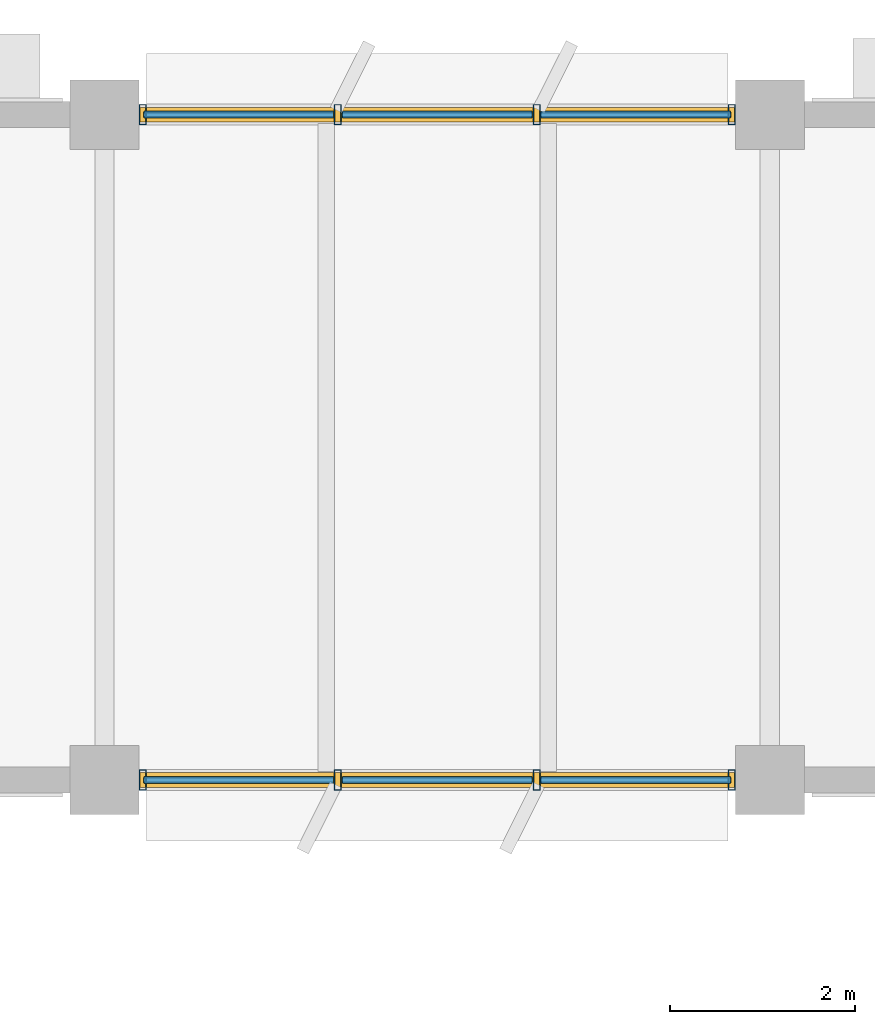
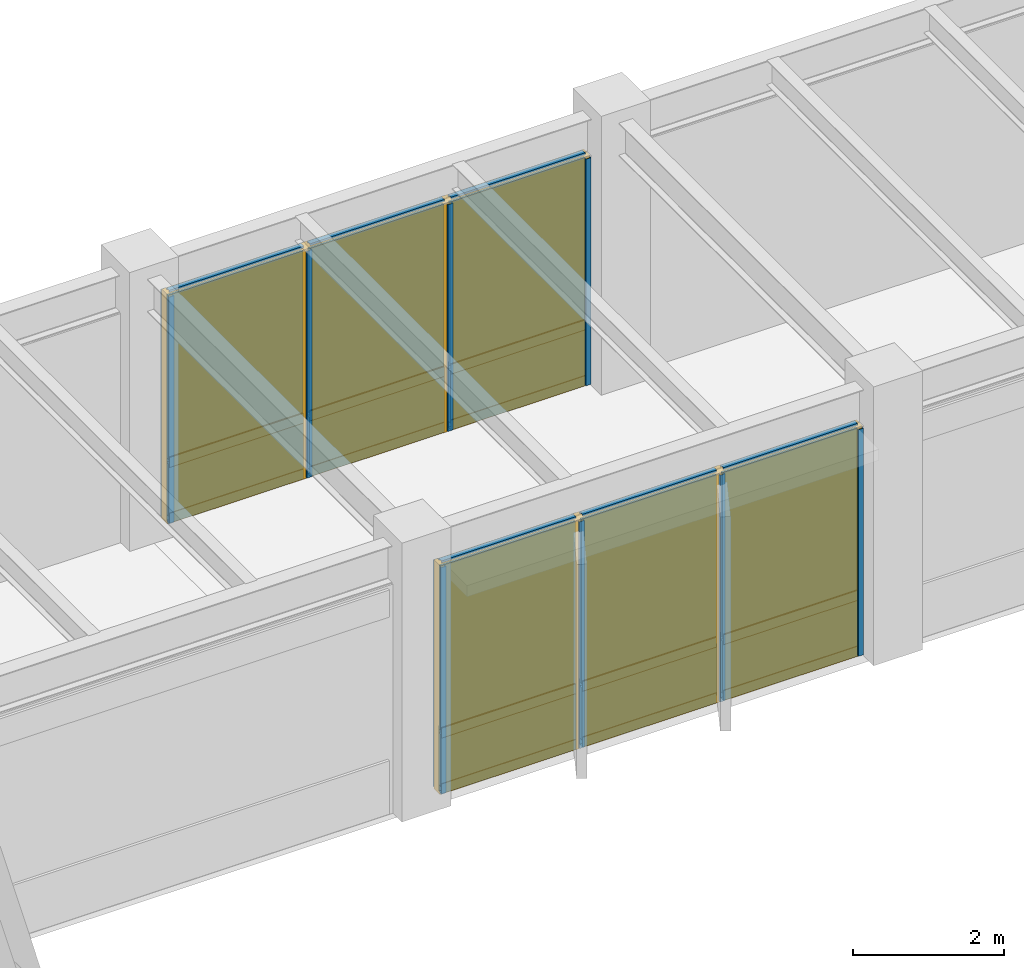
# One storey, part 67 of 92: 26 members, 12 plates, 2 curtain walls.
"""IFC4 building model written with IfcOpenShell, lengths in metres."""

from ifc_helpers import new_model, si_unit, direction, frame, origin, origin_2d, place, context, subcontext, project, spatial, rectangle, hollow_rectangle, extrude, material, layer, layer_set, material_profile, profile_set, type_object, element, aggregate, save


model = new_model("IFC4")

# Units and contexts
model_context = context("Model", 3, precision=1e-05, world=origin(), true_north=direction((0.0, 1.0)))
body_context = subcontext(model_context, "Body", "Model", "MODEL_VIEW")
ifc_project = project(units=[si_unit("LENGTHUNIT", "METRE"), si_unit("AREAUNIT", "SQUARE_METRE"), si_unit("VOLUMEUNIT", "CUBIC_METRE"), si_unit("PLANEANGLEUNIT", "RADIAN"), si_unit("MASSUNIT", "GRAM", prefix="KILO")], contexts=[model_context])

# Member
ifc_material_1 = material(Name="Anodized Aluminium 6063-T6", Category="aluminium")
ifc_material_profile_1 = material_profile(ifc_material_1, hollow_rectangle(XDim=0.074951171875, YDim=0.219970703125, WallThickness=0.0048828125, at=origin_2d()), Name="ALU 75x220x5")
ifc_profile_set_1 = profile_set([ifc_material_profile_1], Name="Anodized Aluminium 6063-T6")
member_type_1 = type_object("IfcMemberType", Name="CWM-75X180", PredefinedType="MULLION", material=ifc_profile_set_1)
site_placement = place(None, origin())
building_placement = place(site_placement, origin())
storey_placement = place(building_placement, frame((0.0, 0.0, 5.39990234375)))
member_1_placement = place(storey_placement, frame((85.985107421875, 108.0, 0.02001953125), z_axis=(0.0, 0.0, 1.0), x_axis=(1.0, 0.0, 0.0)))
member_1 = element("IfcMember", 1, at=member_1_placement, type_object=member_type_1, Name="Curtain wall mullion CW-L02-11-15-S-00", PredefinedType="MULLION", context=body_context, shape_type="SweptSolid", body=[
    extrude(hollow_rectangle(XDim=0.074951171875, YDim=0.219970703125, WallThickness=0.0048828125, at=origin_2d()), origin(), (0.0, 0.0, 1.0), 3.657958984375),
])

member_2_placement = place(storey_placement, frame((83.875, 108.0, 0.02001953125), z_axis=(0.0, 0.0, 1.0), x_axis=(1.0, 0.0, 0.0)))
member_2 = element("IfcMember", 2, at=member_2_placement, type_object=member_type_1, Name="Curtain wall mullion CW-L02-11-15-S-01", PredefinedType="MULLION", context=body_context, shape_type="SweptSolid", body=[
    extrude(hollow_rectangle(XDim=0.074951171875, YDim=0.219970703125, WallThickness=0.0048828125, at=origin_2d()), origin(), (0.0, 0.0, 1.0), 3.657958984375),
])

member_3_placement = place(storey_placement, frame((81.72509765625, 108.0, 0.02001953125), z_axis=(0.0, 0.0, 1.0), x_axis=(1.0, 0.0, 0.0)))
member_3 = element("IfcMember", 3, at=member_3_placement, type_object=member_type_1, Name="Curtain wall mullion CW-L02-11-15-S-02", PredefinedType="MULLION", context=body_context, shape_type="SweptSolid", body=[
    extrude(hollow_rectangle(XDim=0.074951171875, YDim=0.219970703125, WallThickness=0.0048828125, at=origin_2d()), origin(), (0.0, 0.0, 1.0), 3.657958984375),
])

member_4_placement = place(storey_placement, frame((79.614990234375, 108.0, 0.02001953125), z_axis=(0.0, 0.0, 1.0), x_axis=(1.0, 0.0, 0.0)))
member_4 = element("IfcMember", 4, at=member_4_placement, type_object=member_type_1, Name="Curtain wall mullion CW-L02-11-15-S-03", PredefinedType="MULLION", context=body_context, shape_type="SweptSolid", body=[
    extrude(hollow_rectangle(XDim=0.074951171875, YDim=0.219970703125, WallThickness=0.0048828125, at=origin_2d()), origin(), (0.0, 0.0, 1.0), 3.657958984375),
])

member_5_placement = place(storey_placement, frame((79.614990234375, 115.199951171875, 0.02001953125), z_axis=(0.0, 0.0, 1.0), x_axis=(1.0, 0.0, 0.0)))
member_5 = element("IfcMember", 5, at=member_5_placement, type_object=member_type_1, Name="Curtain wall mullion CW-L02-11-15-N-00", PredefinedType="MULLION", context=body_context, shape_type="SweptSolid", body=[
    extrude(hollow_rectangle(XDim=0.074951171875, YDim=0.219970703125, WallThickness=0.0048828125, at=origin_2d()), origin(), (0.0, 0.0, 1.0), 3.657958984375),
])

member_6_placement = place(storey_placement, frame((81.72509765625, 115.199951171875, 0.02001953125), z_axis=(0.0, 0.0, 1.0), x_axis=(1.0, 0.0, 0.0)))
member_6 = element("IfcMember", 6, at=member_6_placement, type_object=member_type_1, Name="Curtain wall mullion CW-L02-11-15-N-01", PredefinedType="MULLION", context=body_context, shape_type="SweptSolid", body=[
    extrude(hollow_rectangle(XDim=0.074951171875, YDim=0.219970703125, WallThickness=0.0048828125, at=origin_2d()), origin(), (0.0, 0.0, 1.0), 3.657958984375),
])

member_7_placement = place(storey_placement, frame((83.875, 115.199951171875, 0.02001953125), z_axis=(0.0, 0.0, 1.0), x_axis=(1.0, 0.0, 0.0)))
member_7 = element("IfcMember", 7, at=member_7_placement, type_object=member_type_1, Name="Curtain wall mullion CW-L02-11-15-N-02", PredefinedType="MULLION", context=body_context, shape_type="SweptSolid", body=[
    extrude(hollow_rectangle(XDim=0.074951171875, YDim=0.219970703125, WallThickness=0.0048828125, at=origin_2d()), origin(), (0.0, 0.0, 1.0), 3.657958984375),
])

member_8_placement = place(storey_placement, frame((85.985107421875, 115.199951171875, 0.02001953125), z_axis=(0.0, 0.0, 1.0), x_axis=(1.0, 0.0, 0.0)))
member_8 = element("IfcMember", 8, at=member_8_placement, type_object=member_type_1, Name="Curtain wall mullion CW-L02-11-15-N-03", PredefinedType="MULLION", context=body_context, shape_type="SweptSolid", body=[
    extrude(hollow_rectangle(XDim=0.074951171875, YDim=0.219970703125, WallThickness=0.0048828125, at=origin_2d()), origin(), (0.0, 0.0, 1.0), 3.657958984375),
])

ifc_material_profile_2 = material_profile(ifc_material_1, hollow_rectangle(XDim=0.074951171875, YDim=0.159912109375, WallThickness=0.00390625, at=origin_2d()), Name="ALU 75x160x4")
ifc_profile_set_2 = profile_set([ifc_material_profile_2], Name="Anodized Aluminium 6063-T6")
member_type_2 = type_object("IfcMemberType", Name="CWT-75X150", PredefinedType="USERDEFINED", material=ifc_profile_set_2)
member_9_placement = place(storey_placement, frame((85.97509765625, 108.0, 0.050048828125), z_axis=(-1.0, 0.0, 0.0), x_axis=(0.0, -1.0, 0.0)))
member_9 = element("IfcMember", 9, at=member_9_placement, type_object=member_type_2, Name="Curtain wall transom CW-L02-11-15-S-1.01", ObjectType="TRANSOM", PredefinedType="USERDEFINED", context=body_context, shape_type="SweptSolid", body=[
    extrude(hollow_rectangle(XDim=0.074951171875, YDim=0.159912109375, WallThickness=0.00390625, at=origin_2d()), origin(), (0.0, 0.0, 1.0), 2.050048828125),
])

member_10_placement = place(storey_placement, frame((83.824951171875, 108.0, 0.050048828125), z_axis=(-1.0, 0.0, 0.0), x_axis=(0.0, -1.0, 0.0)))
member_10 = element("IfcMember", 10, at=member_10_placement, type_object=member_type_2, Name="Curtain wall transom CW-L02-11-15-S-1.02", ObjectType="TRANSOM", PredefinedType="USERDEFINED", context=body_context, shape_type="SweptSolid", body=[
    extrude(hollow_rectangle(XDim=0.074951171875, YDim=0.159912109375, WallThickness=0.00390625, at=origin_2d()), origin(), (0.0, 0.0, 1.0), 2.050048828125),
])

member_11_placement = place(storey_placement, frame((81.675048828125, 108.0, 0.050048828125), z_axis=(-1.0, 0.0, 0.0), x_axis=(0.0, -1.0, 0.0)))
member_11 = element("IfcMember", 11, at=member_11_placement, type_object=member_type_2, Name="Curtain wall transom CW-L02-11-15-S-1.03", ObjectType="TRANSOM", PredefinedType="USERDEFINED", context=body_context, shape_type="SweptSolid", body=[
    extrude(hollow_rectangle(XDim=0.074951171875, YDim=0.159912109375, WallThickness=0.00390625, at=origin_2d()), origin(), (0.0, 0.0, 1.0), 2.050048828125),
])

member_12_placement = place(storey_placement, frame((85.97509765625, 108.0, 0.9501953125), z_axis=(-1.0, 0.0, 0.0), x_axis=(0.0, -1.0, 0.0)))
member_12 = element("IfcMember", 12, at=member_12_placement, type_object=member_type_2, Name="Curtain wall transom CW-L02-11-15-S-2.01", ObjectType="TRANSOM", PredefinedType="USERDEFINED", context=body_context, shape_type="SweptSolid", body=[
    extrude(hollow_rectangle(XDim=0.074951171875, YDim=0.159912109375, WallThickness=0.00390625, at=origin_2d()), origin(), (0.0, 0.0, 1.0), 2.050048828125),
])

member_13_placement = place(storey_placement, frame((83.824951171875, 108.0, 0.9501953125), z_axis=(-1.0, 0.0, 0.0), x_axis=(0.0, -1.0, 0.0)))
member_13 = element("IfcMember", 13, at=member_13_placement, type_object=member_type_2, Name="Curtain wall transom CW-L02-11-15-S-2.02", ObjectType="TRANSOM", PredefinedType="USERDEFINED", context=body_context, shape_type="SweptSolid", body=[
    extrude(hollow_rectangle(XDim=0.074951171875, YDim=0.159912109375, WallThickness=0.00390625, at=origin_2d()), origin(), (0.0, 0.0, 1.0), 2.050048828125),
])

member_14_placement = place(storey_placement, frame((81.675048828125, 108.0, 0.9501953125), z_axis=(-1.0, 0.0, 0.0), x_axis=(0.0, -1.0, 0.0)))
member_14 = element("IfcMember", 14, at=member_14_placement, type_object=member_type_2, Name="Curtain wall transom CW-L02-11-15-S-2.03", ObjectType="TRANSOM", PredefinedType="USERDEFINED", context=body_context, shape_type="SweptSolid", body=[
    extrude(hollow_rectangle(XDim=0.074951171875, YDim=0.159912109375, WallThickness=0.00390625, at=origin_2d()), origin(), (0.0, 0.0, 1.0), 2.050048828125),
])

member_15_placement = place(storey_placement, frame((85.97509765625, 108.0, 3.648193359375), z_axis=(-1.0, 0.0, 0.0), x_axis=(0.0, -1.0, 0.0)))
member_15 = element("IfcMember", 15, at=member_15_placement, type_object=member_type_2, Name="Curtain wall transom CW-L02-11-15-S-3.01", ObjectType="TRANSOM", PredefinedType="USERDEFINED", context=body_context, shape_type="SweptSolid", body=[
    extrude(hollow_rectangle(XDim=0.074951171875, YDim=0.159912109375, WallThickness=0.00390625, at=origin_2d()), origin(), (0.0, 0.0, 1.0), 2.050048828125),
])

member_16_placement = place(storey_placement, frame((83.824951171875, 108.0, 3.648193359375), z_axis=(-1.0, 0.0, 0.0), x_axis=(0.0, -1.0, 0.0)))
member_16 = element("IfcMember", 16, at=member_16_placement, type_object=member_type_2, Name="Curtain wall transom CW-L02-11-15-S-3.02", ObjectType="TRANSOM", PredefinedType="USERDEFINED", context=body_context, shape_type="SweptSolid", body=[
    extrude(hollow_rectangle(XDim=0.074951171875, YDim=0.159912109375, WallThickness=0.00390625, at=origin_2d()), origin(), (0.0, 0.0, 1.0), 2.050048828125),
])

member_17_placement = place(storey_placement, frame((81.675048828125, 108.0, 3.648193359375), z_axis=(-1.0, 0.0, 0.0), x_axis=(0.0, -1.0, 0.0)))
member_17 = element("IfcMember", 17, at=member_17_placement, type_object=member_type_2, Name="Curtain wall transom CW-L02-11-15-S-3.03", ObjectType="TRANSOM", PredefinedType="USERDEFINED", context=body_context, shape_type="SweptSolid", body=[
    extrude(hollow_rectangle(XDim=0.074951171875, YDim=0.159912109375, WallThickness=0.00390625, at=origin_2d()), origin(), (0.0, 0.0, 1.0), 2.050048828125),
])

member_18_placement = place(storey_placement, frame((79.625, 115.199951171875, 0.050048828125), z_axis=(1.0, 0.0, 0.0), x_axis=(0.0, 1.0, 0.0)))
member_18 = element("IfcMember", 18, at=member_18_placement, type_object=member_type_2, Name="Curtain wall transom CW-L02-11-15-N-1.01", ObjectType="TRANSOM", PredefinedType="USERDEFINED", context=body_context, shape_type="SweptSolid", body=[
    extrude(hollow_rectangle(XDim=0.074951171875, YDim=0.159912109375, WallThickness=0.00390625, at=origin_2d()), origin(), (0.0, 0.0, 1.0), 2.050048828125),
])

member_19_placement = place(storey_placement, frame((81.77490234375, 115.199951171875, 0.050048828125), z_axis=(1.0, 0.0, 0.0), x_axis=(0.0, 1.0, 0.0)))
member_19 = element("IfcMember", 19, at=member_19_placement, type_object=member_type_2, Name="Curtain wall transom CW-L02-11-15-N-1.02", ObjectType="TRANSOM", PredefinedType="USERDEFINED", context=body_context, shape_type="SweptSolid", body=[
    extrude(hollow_rectangle(XDim=0.074951171875, YDim=0.159912109375, WallThickness=0.00390625, at=origin_2d()), origin(), (0.0, 0.0, 1.0), 2.050048828125),
])

member_20_placement = place(storey_placement, frame((83.925048828125, 115.199951171875, 0.050048828125), z_axis=(1.0, 0.0, 0.0), x_axis=(0.0, 1.0, 0.0)))
member_20 = element("IfcMember", 20, at=member_20_placement, type_object=member_type_2, Name="Curtain wall transom CW-L02-11-15-N-1.03", ObjectType="TRANSOM", PredefinedType="USERDEFINED", context=body_context, shape_type="SweptSolid", body=[
    extrude(hollow_rectangle(XDim=0.074951171875, YDim=0.159912109375, WallThickness=0.00390625, at=origin_2d()), origin(), (0.0, 0.0, 1.0), 2.050048828125),
])

member_21_placement = place(storey_placement, frame((79.625, 115.199951171875, 0.9501953125), z_axis=(1.0, 0.0, 0.0), x_axis=(0.0, 1.0, 0.0)))
member_21 = element("IfcMember", 21, at=member_21_placement, type_object=member_type_2, Name="Curtain wall transom CW-L02-11-15-N-2.01", ObjectType="TRANSOM", PredefinedType="USERDEFINED", context=body_context, shape_type="SweptSolid", body=[
    extrude(hollow_rectangle(XDim=0.074951171875, YDim=0.159912109375, WallThickness=0.00390625, at=origin_2d()), origin(), (0.0, 0.0, 1.0), 2.050048828125),
])

member_22_placement = place(storey_placement, frame((81.77490234375, 115.199951171875, 0.9501953125), z_axis=(1.0, 0.0, 0.0), x_axis=(0.0, 1.0, 0.0)))
member_22 = element("IfcMember", 22, at=member_22_placement, type_object=member_type_2, Name="Curtain wall transom CW-L02-11-15-N-2.02", ObjectType="TRANSOM", PredefinedType="USERDEFINED", context=body_context, shape_type="SweptSolid", body=[
    extrude(hollow_rectangle(XDim=0.074951171875, YDim=0.159912109375, WallThickness=0.00390625, at=origin_2d()), origin(), (0.0, 0.0, 1.0), 2.050048828125),
])

member_23_placement = place(storey_placement, frame((83.925048828125, 115.199951171875, 0.9501953125), z_axis=(1.0, 0.0, 0.0), x_axis=(0.0, 1.0, 0.0)))
member_23 = element("IfcMember", 23, at=member_23_placement, type_object=member_type_2, Name="Curtain wall transom CW-L02-11-15-N-2.03", ObjectType="TRANSOM", PredefinedType="USERDEFINED", context=body_context, shape_type="SweptSolid", body=[
    extrude(hollow_rectangle(XDim=0.074951171875, YDim=0.159912109375, WallThickness=0.00390625, at=origin_2d()), origin(), (0.0, 0.0, 1.0), 2.050048828125),
])

member_24_placement = place(storey_placement, frame((79.625, 115.199951171875, 3.648193359375), z_axis=(1.0, 0.0, 0.0), x_axis=(0.0, 1.0, 0.0)))
member_24 = element("IfcMember", 24, at=member_24_placement, type_object=member_type_2, Name="Curtain wall transom CW-L02-11-15-N-3.01", ObjectType="TRANSOM", PredefinedType="USERDEFINED", context=body_context, shape_type="SweptSolid", body=[
    extrude(hollow_rectangle(XDim=0.074951171875, YDim=0.159912109375, WallThickness=0.00390625, at=origin_2d()), origin(), (0.0, 0.0, 1.0), 2.050048828125),
])

member_25_placement = place(storey_placement, frame((81.77490234375, 115.199951171875, 3.648193359375), z_axis=(1.0, 0.0, 0.0), x_axis=(0.0, 1.0, 0.0)))
member_25 = element("IfcMember", 25, at=member_25_placement, type_object=member_type_2, Name="Curtain wall transom CW-L02-11-15-N-3.02", ObjectType="TRANSOM", PredefinedType="USERDEFINED", context=body_context, shape_type="SweptSolid", body=[
    extrude(hollow_rectangle(XDim=0.074951171875, YDim=0.159912109375, WallThickness=0.00390625, at=origin_2d()), origin(), (0.0, 0.0, 1.0), 2.050048828125),
])

member_26_placement = place(storey_placement, frame((83.925048828125, 115.199951171875, 3.648193359375), z_axis=(1.0, 0.0, 0.0), x_axis=(0.0, 1.0, 0.0)))
member_26 = element("IfcMember", 26, at=member_26_placement, type_object=member_type_2, Name="Curtain wall transom CW-L02-11-15-N-3.03", ObjectType="TRANSOM", PredefinedType="USERDEFINED", context=body_context, shape_type="SweptSolid", body=[
    extrude(hollow_rectangle(XDim=0.074951171875, YDim=0.159912109375, WallThickness=0.00390625, at=origin_2d()), origin(), (0.0, 0.0, 1.0), 2.050048828125),
])

# Plate
ifc_material_2 = material(Name="Acoustic Laminated Low-E Glazing", Category="glass")
ifc_layer_1 = layer(ifc_material_2, 0.0439453125)
ifc_layer_set_1 = layer_set([ifc_layer_1], Name="Acoustic Laminated Low-E Glazing")
plate_type_1 = type_object("IfcPlateType", Name="CWP-IGU-44", PredefinedType="CURTAIN_PANEL", material=ifc_layer_set_1)
plate_1_placement = place(storey_placement, frame((84.949951171875, 108.0, 0.990234375), z_axis=(0.0, 0.0, 1.0), x_axis=(-1.0, 0.0, 0.0)))
plate_1 = element("IfcPlate", 27, at=plate_1_placement, type_object=plate_type_1, Name="Curtain wall vision glazing CW-L02-11-15-S-01", PredefinedType="CURTAIN_PANEL", context=body_context, shape_type="SweptSolid", body=[
    extrude(rectangle(XDim=2.06005859375, YDim=0.0400390625, at=origin_2d()), origin(), (0.0, 0.0, 1.0), 2.64794921875),
])

plate_2_placement = place(storey_placement, frame((82.800048828125, 108.0, 0.990234375), z_axis=(0.0, 0.0, 1.0), x_axis=(-1.0, 0.0, 0.0)))
plate_2 = element("IfcPlate", 28, at=plate_2_placement, type_object=plate_type_1, Name="Curtain wall vision glazing CW-L02-11-15-S-02", PredefinedType="CURTAIN_PANEL", context=body_context, shape_type="SweptSolid", body=[
    extrude(rectangle(XDim=2.06005859375, YDim=0.0400390625, at=origin_2d()), origin(), (0.0, 0.0, 1.0), 2.64794921875),
])

plate_3_placement = place(storey_placement, frame((80.64990234375, 108.0, 0.990234375), z_axis=(0.0, 0.0, 1.0), x_axis=(-1.0, 0.0, 0.0)))
plate_3 = element("IfcPlate", 29, at=plate_3_placement, type_object=plate_type_1, Name="Curtain wall vision glazing CW-L02-11-15-S-03", PredefinedType="CURTAIN_PANEL", context=body_context, shape_type="SweptSolid", body=[
    extrude(rectangle(XDim=2.06005859375, YDim=0.0400390625, at=origin_2d()), origin(), (0.0, 0.0, 1.0), 2.64794921875),
])

plate_4_placement = place(storey_placement, frame((80.64990234375, 115.199951171875, 0.990234375), z_axis=(0.0, 0.0, 1.0), x_axis=(1.0, 0.0, 0.0)))
plate_4 = element("IfcPlate", 30, at=plate_4_placement, type_object=plate_type_1, Name="Curtain wall vision glazing CW-L02-11-15-N-01", PredefinedType="CURTAIN_PANEL", context=body_context, shape_type="SweptSolid", body=[
    extrude(rectangle(XDim=2.06005859375, YDim=0.0400390625, at=origin_2d()), origin(), (0.0, 0.0, 1.0), 2.64794921875),
])

plate_5_placement = place(storey_placement, frame((82.800048828125, 115.199951171875, 0.990234375), z_axis=(0.0, 0.0, 1.0), x_axis=(1.0, 0.0, 0.0)))
plate_5 = element("IfcPlate", 31, at=plate_5_placement, type_object=plate_type_1, Name="Curtain wall vision glazing CW-L02-11-15-N-02", PredefinedType="CURTAIN_PANEL", context=body_context, shape_type="SweptSolid", body=[
    extrude(rectangle(XDim=2.06005859375, YDim=0.0400390625, at=origin_2d()), origin(), (0.0, 0.0, 1.0), 2.64794921875),
])

plate_6_placement = place(storey_placement, frame((84.949951171875, 115.199951171875, 0.990234375), z_axis=(0.0, 0.0, 1.0), x_axis=(1.0, 0.0, 0.0)))
plate_6 = element("IfcPlate", 32, at=plate_6_placement, type_object=plate_type_1, Name="Curtain wall vision glazing CW-L02-11-15-N-03", PredefinedType="CURTAIN_PANEL", context=body_context, shape_type="SweptSolid", body=[
    extrude(rectangle(XDim=2.06005859375, YDim=0.0400390625, at=origin_2d()), origin(), (0.0, 0.0, 1.0), 2.64794921875),
])

ifc_material_3 = material(Name="Insulated Stone-Composite Spandrel", Category="masonry")
ifc_layer_2 = layer(ifc_material_3, 0.068115234375)
ifc_layer_set_2 = layer_set([ifc_layer_2], Name="Insulated Stone-Composite Spandrel")
plate_type_2 = type_object("IfcPlateType", Name="CWP-SPN-68", PredefinedType="CURTAIN_PANEL", material=ifc_layer_set_2)
plate_7_placement = place(storey_placement, frame((84.949951171875, 108.0, 0.080078125), z_axis=(0.0, 0.0, 1.0), x_axis=(-1.0, 0.0, 0.0)))
plate_7 = element("IfcPlate", 33, at=plate_7_placement, type_object=plate_type_2, Name="Curtain wall spandrel panel CW-L02-11-15-S-01", PredefinedType="CURTAIN_PANEL", context=body_context, shape_type="SweptSolid", body=[
    extrude(rectangle(XDim=2.06005859375, YDim=0.06005859375, at=origin_2d()), origin(), (0.0, 0.0, 1.0), 0.840087890625),
])

plate_8_placement = place(storey_placement, frame((82.800048828125, 108.0, 0.080078125), z_axis=(0.0, 0.0, 1.0), x_axis=(-1.0, 0.0, 0.0)))
plate_8 = element("IfcPlate", 34, at=plate_8_placement, type_object=plate_type_2, Name="Curtain wall spandrel panel CW-L02-11-15-S-02", PredefinedType="CURTAIN_PANEL", context=body_context, shape_type="SweptSolid", body=[
    extrude(rectangle(XDim=2.06005859375, YDim=0.06005859375, at=origin_2d()), origin(), (0.0, 0.0, 1.0), 0.840087890625),
])

plate_9_placement = place(storey_placement, frame((80.64990234375, 108.0, 0.080078125), z_axis=(0.0, 0.0, 1.0), x_axis=(-1.0, 0.0, 0.0)))
plate_9 = element("IfcPlate", 35, at=plate_9_placement, type_object=plate_type_2, Name="Curtain wall spandrel panel CW-L02-11-15-S-03", PredefinedType="CURTAIN_PANEL", context=body_context, shape_type="SweptSolid", body=[
    extrude(rectangle(XDim=2.06005859375, YDim=0.06005859375, at=origin_2d()), origin(), (0.0, 0.0, 1.0), 0.840087890625),
])

plate_10_placement = place(storey_placement, frame((80.64990234375, 115.199951171875, 0.080078125), z_axis=(0.0, 0.0, 1.0), x_axis=(1.0, 0.0, 0.0)))
plate_10 = element("IfcPlate", 36, at=plate_10_placement, type_object=plate_type_2, Name="Curtain wall spandrel panel CW-L02-11-15-N-01", PredefinedType="CURTAIN_PANEL", context=body_context, shape_type="SweptSolid", body=[
    extrude(rectangle(XDim=2.06005859375, YDim=0.06005859375, at=origin_2d()), origin(), (0.0, 0.0, 1.0), 0.840087890625),
])

plate_11_placement = place(storey_placement, frame((82.800048828125, 115.199951171875, 0.080078125), z_axis=(0.0, 0.0, 1.0), x_axis=(1.0, 0.0, 0.0)))
plate_11 = element("IfcPlate", 37, at=plate_11_placement, type_object=plate_type_2, Name="Curtain wall spandrel panel CW-L02-11-15-N-02", PredefinedType="CURTAIN_PANEL", context=body_context, shape_type="SweptSolid", body=[
    extrude(rectangle(XDim=2.06005859375, YDim=0.06005859375, at=origin_2d()), origin(), (0.0, 0.0, 1.0), 0.840087890625),
])

plate_12_placement = place(storey_placement, frame((84.949951171875, 115.199951171875, 0.080078125), z_axis=(0.0, 0.0, 1.0), x_axis=(1.0, 0.0, 0.0)))
plate_12 = element("IfcPlate", 38, at=plate_12_placement, type_object=plate_type_2, Name="Curtain wall spandrel panel CW-L02-11-15-N-03", PredefinedType="CURTAIN_PANEL", context=body_context, shape_type="SweptSolid", body=[
    extrude(rectangle(XDim=2.06005859375, YDim=0.06005859375, at=origin_2d()), origin(), (0.0, 0.0, 1.0), 0.840087890625),
])

# Site, building, storey
site = spatial("IfcSite", under=ifc_project, at=site_placement, CompositionType="ELEMENT")
building = spatial("IfcBuilding", under=site, at=building_placement, Name="Sillqori Civic Hall", CompositionType="ELEMENT")
storey = spatial("IfcBuildingStorey", under=building, at=storey_placement, Name="L02", CompositionType="ELEMENT", Elevation=5.39990234375)

# Curtain wall
ifc_material_4 = material(Name="Anodized Aluminium Curtain Wall System", Category="aluminium")
curtain_wall_type = type_object("IfcCurtainWallType", Name="CW-GL-430", PredefinedType="NOTDEFINED", material=ifc_material_4)
curtain_wall_1_placement = place(storey_placement, frame((82.800048828125, 108.0, 0.0), z_axis=(0.0, 0.0, 1.0), x_axis=(-1.0, 0.0, 0.0)))
curtain_wall_1 = element("IfcCurtainWall", 39, at=curtain_wall_1_placement, inside=storey, type_object=curtain_wall_type, Name="L02 unitised curtain wall CW-L02-11-15-S", PredefinedType="NOTDEFINED", context=body_context, shape_type="SweptSolid", body=[
    extrude(rectangle(XDim=6.449951171875, YDim=0.159912109375, at=origin_2d()), origin(), (0.0, 0.0, 1.0), 3.697998046875),
])

aggregate(curtain_wall_1, [member_1, member_2, member_3, member_4, member_9, member_10, member_11, member_12, member_13, member_14, member_15, member_16, member_17, plate_7, plate_1, plate_8, plate_2, plate_9, plate_3])

curtain_wall_2_placement = place(storey_placement, frame((82.800048828125, 115.199951171875, 0.0), z_axis=(0.0, 0.0, 1.0), x_axis=(1.0, 0.0, 0.0)))
curtain_wall_2 = element("IfcCurtainWall", 40, at=curtain_wall_2_placement, inside=storey, type_object=curtain_wall_type, Name="L02 unitised curtain wall CW-L02-11-15-N", PredefinedType="NOTDEFINED", context=body_context, shape_type="SweptSolid", body=[
    extrude(rectangle(XDim=6.449951171875, YDim=0.159912109375, at=origin_2d()), origin(), (0.0, 0.0, 1.0), 3.697998046875),
])

aggregate(curtain_wall_2, [member_5, member_6, member_7, member_8, member_18, member_19, member_20, member_21, member_22, member_23, member_24, member_25, member_26, plate_10, plate_4, plate_11, plate_5, plate_12, plate_6])

save(model, "model.ifc")
